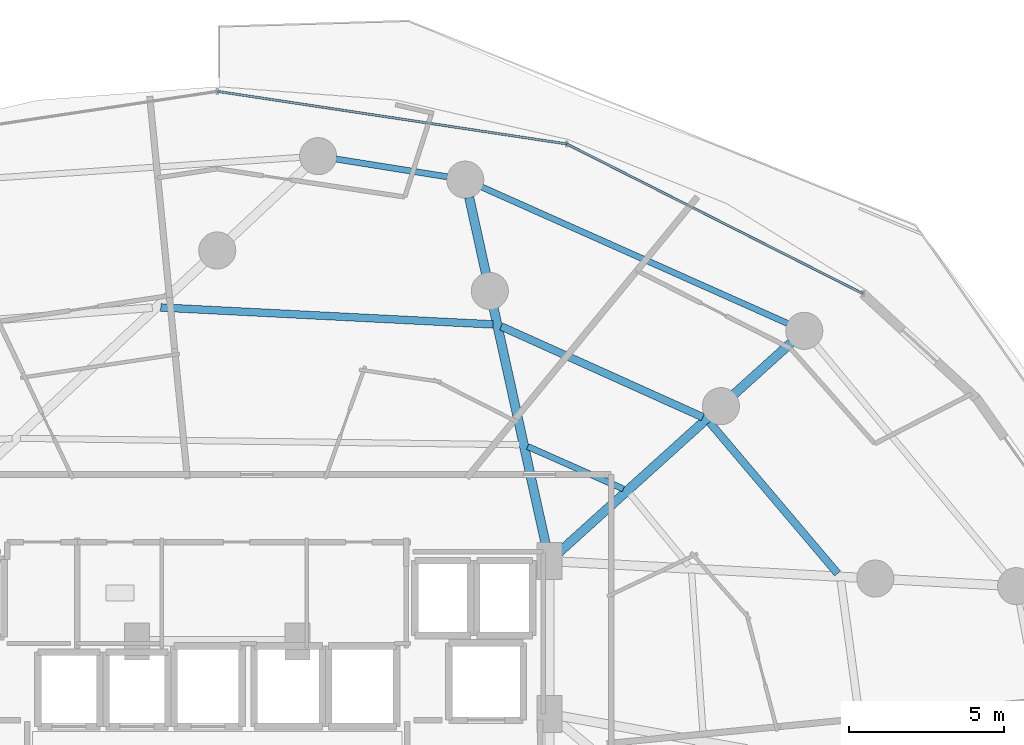
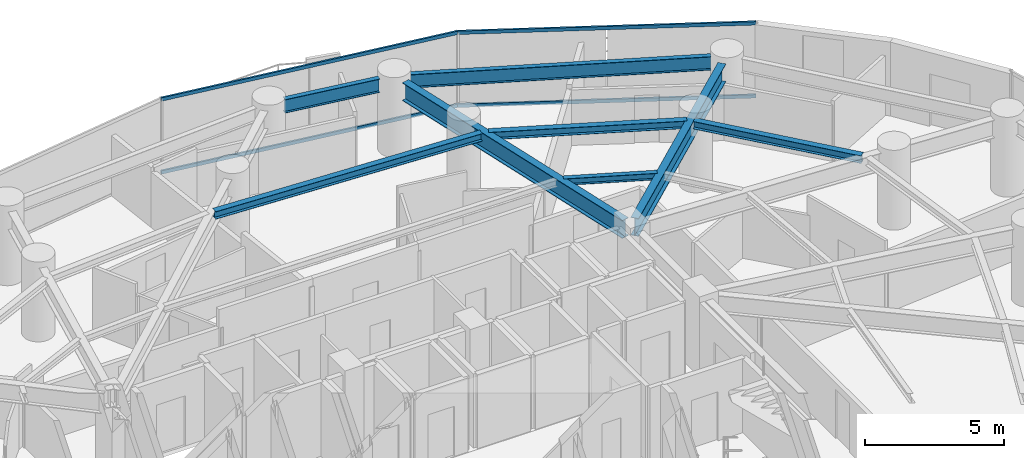
# One storey, part 19 of 30: 8 beams, 4 members, 1 element without a shape of its own.
"""IFC4 building model written with IfcOpenShell, lengths in metres."""

from ifc_helpers import new_model, si_unit, direction, frame, origin, origin_2d, place, context, subcontext, project, spatial, hollow_rectangle, i_section, extrude, material, material_profile, profile_set, type_object, element, aggregate, save


model = new_model("IFC4")

# Units and contexts
model_context = context("Model", 3, precision=1e-05, world=origin(), true_north=direction((0.0, 1.0)))
body_context = subcontext(model_context, "Body", "Model", "MODEL_VIEW")
ifc_project = project(units=[si_unit("LENGTHUNIT", "METRE"), si_unit("AREAUNIT", "SQUARE_METRE"), si_unit("VOLUMEUNIT", "CUBIC_METRE"), si_unit("PLANEANGLEUNIT", "RADIAN"), si_unit("MASSUNIT", "GRAM", prefix="KILO")], contexts=[model_context])

# Site, building, storey
site_placement = place(None, origin())
site = spatial("IfcSite", under=ifc_project, at=site_placement, CompositionType="ELEMENT")
building_placement = place(site_placement, origin())
building = spatial("IfcBuilding", under=site, at=building_placement, Name="Vorneva Point Tower", CompositionType="ELEMENT")
storey_placement = place(building_placement, frame((0.0, 0.0, 55.5)))
storey = spatial("IfcBuildingStorey", under=building, at=storey_placement, Name="L14", CompositionType="ELEMENT", Elevation=55.5)

# Beams
ifc_material_1 = material(Name="Steel S355", Category="steel")
ifc_material_profile_1 = material_profile(ifc_material_1, i_section(OverallWidth=0.300048828125, OverallDepth=0.7880859375, WebThickness=0.014404296875, FlangeThickness=0.02197265625, at=origin_2d()), Name="80Sh1")
ifc_profile_set_1 = profile_set([ifc_material_profile_1], Name="Steel S355")
beam_type_1 = type_object("IfcBeamType", Name="BM-GRD-80Sh1", PredefinedType="USERDEFINED", material=ifc_profile_set_1)
beam_1_placement = place(storey_placement, frame((56.56103515625, 40.205810546875, 2.845947265625), z_axis=(-0.742076105577, -0.670315637243, 0.0), x_axis=(0.670315637243, -0.742076105577, 0.0)))
element("IfcBeam", 1, at=beam_1_placement, inside=storey, type_object=beam_type_1, Name="L14 Radial Primary Girder 03", ObjectType="GIRDER", PredefinedType="USERDEFINED", context=body_context, shape_type="SweptSolid", body=[
    extrude(i_section(OverallWidth=0.300048828125, OverallDepth=0.7880859375, WebThickness=0.014404296875, FlangeThickness=0.02197265625, at=origin_2d()), origin(), (0.0, 0.0, 1.0), 10.18603515625),
])
beam_2_placement = place(storey_placement, frame((46.15283203125, 44.91748046875, 2.845947265625), z_axis=(0.215521919097, -0.976499002759, 0.0), x_axis=(0.976499002759, 0.215521919097, 0.0)))
element("IfcBeam", 2, at=beam_2_placement, inside=storey, type_object=beam_type_1, Name="L14 Radial Primary Girder 04", ObjectType="GIRDER", PredefinedType="USERDEFINED", context=body_context, shape_type="SweptSolid", body=[
    extrude(i_section(OverallWidth=0.300048828125, OverallDepth=0.7880859375, WebThickness=0.014404296875, FlangeThickness=0.02197265625, at=origin_2d()), origin(), (0.0, 0.0, 1.0), 11.710693359375),
])
ifc_material_profile_2 = material_profile(ifc_material_1, i_section(OverallWidth=0.199951171875, OverallDepth=0.291015625, WebThickness=0.008056640625, FlangeThickness=0.010986328125, at=origin_2d()), Name="30Sh1")
ifc_profile_set_2 = profile_set([ifc_material_profile_2], Name="Steel S355")
beam_type_2 = type_object("IfcBeamType", Name="BM-SEC-30Sh1", PredefinedType="BEAM", material=ifc_profile_set_2)
beam_3_placement = place(storey_placement, frame((51.143798828125, 35.482177734375, 3.094482421875), z_axis=(-0.914078683752, 0.405536878607, 0.0), x_axis=(-0.405536878607, -0.914078683752, 0.0)))
element("IfcBeam", 3, at=beam_3_placement, inside=storey, type_object=beam_type_2, Name="L14 Secondary Floor Beam 2.03", PredefinedType="BEAM", context=body_context, shape_type="SweptSolid", body=[
    extrude(i_section(OverallWidth=0.199951171875, OverallDepth=0.291015625, WebThickness=0.008056640625, FlangeThickness=0.010986328125, at=origin_2d()), origin(), (0.0, 0.0, 1.0), 3.389404296875),
])
ifc_material_profile_3 = material_profile(ifc_material_1, i_section(OverallWidth=0.2490234375, OverallDepth=0.333984375, WebThickness=0.008056640625, FlangeThickness=0.010986328125, at=origin_2d()), Name="35Sh1")
ifc_profile_set_3 = profile_set([ifc_material_profile_3], Name="Steel S355")
beam_type_3 = type_object("IfcBeamType", Name="BM-SEC-35Sh1", PredefinedType="BEAM", material=ifc_profile_set_3)
beam_4_placement = place(storey_placement, frame((58.07421875, 32.748291015625, 3.072998046875), z_axis=(-0.64629711118, 0.763085869402, 0.0), x_axis=(-0.763085869402, -0.64629711118, 0.0)))
element("IfcBeam", 4, at=beam_4_placement, inside=storey, type_object=beam_type_3, Name="L14 Secondary Floor Beam 1.02", PredefinedType="BEAM", context=body_context, shape_type="SweptSolid", body=[
    extrude(i_section(OverallWidth=0.2490234375, OverallDepth=0.333984375, WebThickness=0.008056640625, FlangeThickness=0.010986328125, at=origin_2d()), origin(), (0.0, 0.0, 1.0), 6.41357421875),
])
beam_5_placement = place(storey_placement, frame((53.714111328125, 37.804443359375, 3.072998046875), z_axis=(-0.911797659955, 0.41063977803, 0.0), x_axis=(-0.41063977803, -0.911797659955, 0.0)))
element("IfcBeam", 5, at=beam_5_placement, inside=storey, type_object=beam_type_3, Name="L14 Secondary Floor Beam 1.03", PredefinedType="BEAM", context=body_context, shape_type="SweptSolid", body=[
    extrude(i_section(OverallWidth=0.2490234375, OverallDepth=0.333984375, WebThickness=0.008056640625, FlangeThickness=0.010986328125, at=origin_2d()), origin(), (0.0, 0.0, 1.0), 7.158203125),
])
beam_6_placement = place(storey_placement, frame((46.923583984375, 40.8076171875, 3.072998046875), z_axis=(-0.998705418503, 0.050867347602, 0.0), x_axis=(-0.050867347602, -0.998705418503, 0.0)))
element("IfcBeam", 6, at=beam_6_placement, inside=storey, type_object=beam_type_3, Name="L14 Secondary Floor Beam 1.04", PredefinedType="BEAM", context=body_context, shape_type="SweptSolid", body=[
    extrude(i_section(OverallWidth=0.2490234375, OverallDepth=0.333984375, WebThickness=0.008056640625, FlangeThickness=0.010986328125, at=origin_2d()), origin(), (0.0, 0.0, 1.0), 10.765380859375),
])
ifc_material_profile_4 = material_profile(ifc_material_1, i_section(OverallWidth=0.198974609375, OverallDepth=0.595947265625, WebThickness=0.010009765625, FlangeThickness=0.014892578125, at=origin_2d()), Name="60B1")
ifc_profile_set_4 = profile_set([ifc_material_profile_4], Name="Steel S355")
beam_type_4 = type_object("IfcBeamType", Name="BM-SPN-60B1", PredefinedType="SPANDREL", material=ifc_profile_set_4)
beam_7_placement = place(storey_placement, frame((56.463134765625, 40.837890625, 2.94189453125), z_axis=(-0.913318750016, 0.407245455309, 0.0), x_axis=(-0.407245455309, -0.913318750016, 0.0)))
element("IfcBeam", 7, at=beam_7_placement, inside=storey, type_object=beam_type_4, Name="L14 Perimeter Spandrel Ring Beam 03", PredefinedType="SPANDREL", context=body_context, shape_type="SweptSolid", body=[
    extrude(i_section(OverallWidth=0.198974609375, OverallDepth=0.595947265625, WebThickness=0.010009765625, FlangeThickness=0.014892578125, at=origin_2d()), origin(), (0.0, 0.0, 1.0), 10.842529296875),
])
beam_8_placement = place(storey_placement, frame((45.448486328125, 45.583984375, 2.94189453125), z_axis=(-0.987472321528, 0.157792313549, 0.0), x_axis=(-0.157792313549, -0.987472321528, 0.0)))
element("IfcBeam", 8, at=beam_8_placement, inside=storey, type_object=beam_type_4, Name="L14 Perimeter Spandrel Ring Beam 04", PredefinedType="SPANDREL", context=body_context, shape_type="SweptSolid", body=[
    extrude(i_section(OverallWidth=0.198974609375, OverallDepth=0.595947265625, WebThickness=0.010009765625, FlangeThickness=0.014892578125, at=origin_2d()), origin(), (0.0, 0.0, 1.0), 3.6513671875),
])

# Curtain wall, members
ifc_material_2 = material(Name="Pale anodised aluminium", Category="aluminium")
curtain_wall_type = type_object("IfcCurtainWallType", Name="CW-HTL-SYS", PredefinedType="NOTDEFINED", material=ifc_material_2)
curtain_wall_placement = place(storey_placement, origin())
curtain_wall = element("IfcCurtainWall", 9, at=curtain_wall_placement, inside=storey, type_object=curtain_wall_type, Name="L14 Unitised Curtain Wall CW-L14-R02", PredefinedType="NOTDEFINED")
ifc_material_profile_5 = material_profile(ifc_material_2, hollow_rectangle(XDim=0.074951171875, YDim=0.14990234375, WallThickness=0.00390625, at=origin_2d()), Name="AL-TRN 150x75x4")
ifc_profile_set_5 = profile_set([ifc_material_profile_5], Name="Pale anodised aluminium")
member_type = type_object("IfcMemberType", Name="CW-TRN-150", PredefinedType="USERDEFINED", material=ifc_profile_set_5)
member_1_placement = place(storey_placement, frame((58.89501953125, 41.8037109375, 0.02001953125), z_axis=(-0.892496057621, 0.451055192999, 0.0), x_axis=(-0.451055192999, -0.892496057621, 0.0)))
member_1 = element("IfcMember", 10, at=member_1_placement, type_object=member_type, Name="CW-L14-R02 Transom 01.1", ObjectType="TRANSOM", PredefinedType="USERDEFINED", context=body_context, shape_type="SweptSolid", body=[
    extrude(hollow_rectangle(XDim=0.074951171875, YDim=0.14990234375, WallThickness=0.00390625, at=origin_2d()), origin(), (0.0, 0.0, 1.0), 10.741455078125),
])
member_2_placement = place(storey_placement, frame((58.89501953125, 41.8037109375, 3.219970703125), z_axis=(-0.892496057621, 0.451055192999, 0.0), x_axis=(-0.451055192999, -0.892496057621, 0.0)))
member_2 = element("IfcMember", 11, at=member_2_placement, type_object=member_type, Name="CW-L14-R02 Transom 01.2", ObjectType="TRANSOM", PredefinedType="USERDEFINED", context=body_context, shape_type="SweptSolid", body=[
    extrude(hollow_rectangle(XDim=0.074951171875, YDim=0.14990234375, WallThickness=0.00390625, at=origin_2d()), origin(), (0.0, 0.0, 1.0), 10.741455078125),
])
member_3_placement = place(storey_placement, frame((49.308349609375, 46.648681640625, 0.02001953125), z_axis=(-0.988870014575, 0.148782036131, 0.0), x_axis=(-0.148782036131, -0.988870014575, 0.0)))
member_3 = element("IfcMember", 12, at=member_3_placement, type_object=member_type, Name="CW-L14-R02 Transom 02.1", ObjectType="TRANSOM", PredefinedType="USERDEFINED", context=body_context, shape_type="SweptSolid", body=[
    extrude(hollow_rectangle(XDim=0.074951171875, YDim=0.14990234375, WallThickness=0.00390625, at=origin_2d()), origin(), (0.0, 0.0, 1.0), 11.435546875),
])
member_4_placement = place(storey_placement, frame((49.308349609375, 46.648681640625, 3.219970703125), z_axis=(-0.988870014575, 0.148782036131, 0.0), x_axis=(-0.148782036131, -0.988870014575, 0.0)))
member_4 = element("IfcMember", 13, at=member_4_placement, type_object=member_type, Name="CW-L14-R02 Transom 02.2", ObjectType="TRANSOM", PredefinedType="USERDEFINED", context=body_context, shape_type="SweptSolid", body=[
    extrude(hollow_rectangle(XDim=0.074951171875, YDim=0.14990234375, WallThickness=0.00390625, at=origin_2d()), origin(), (0.0, 0.0, 1.0), 11.435546875),
])
aggregate(curtain_wall, [member_1, member_2, member_3, member_4])

save(model, "model.ifc")
